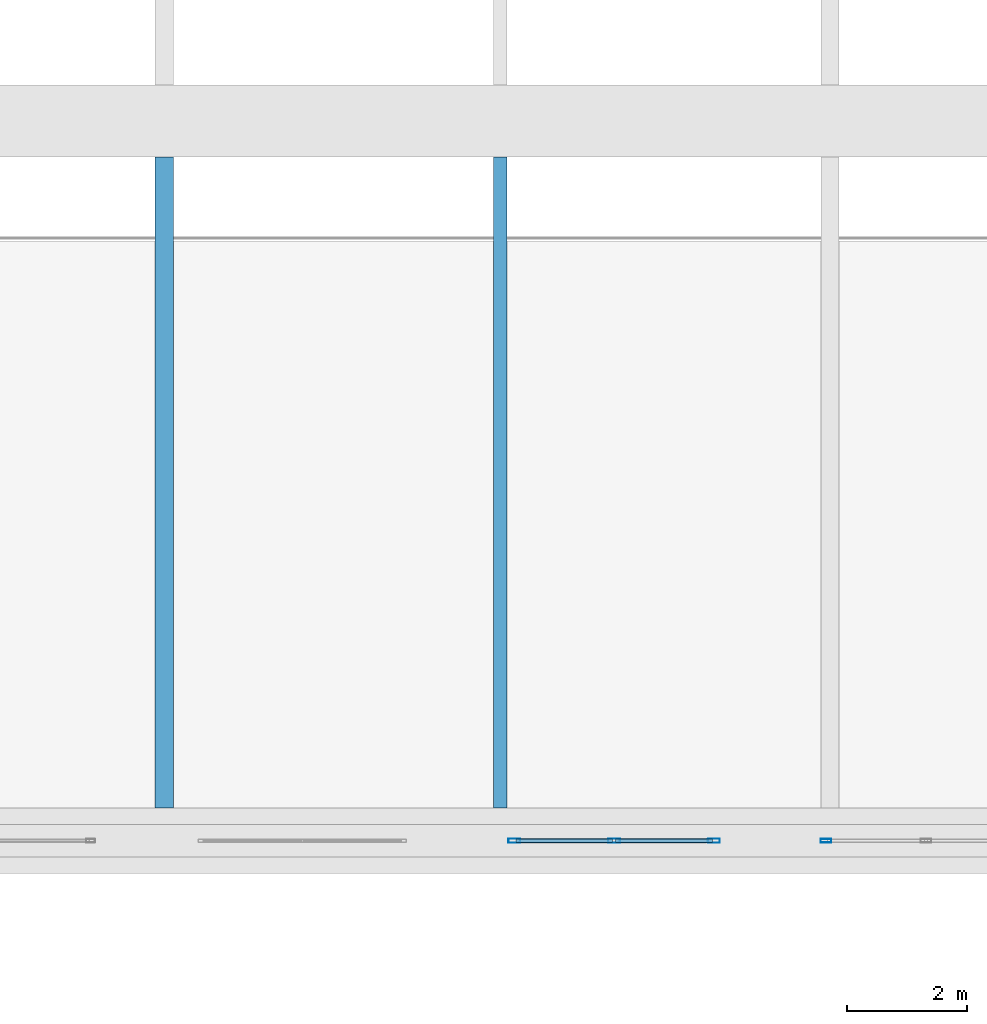
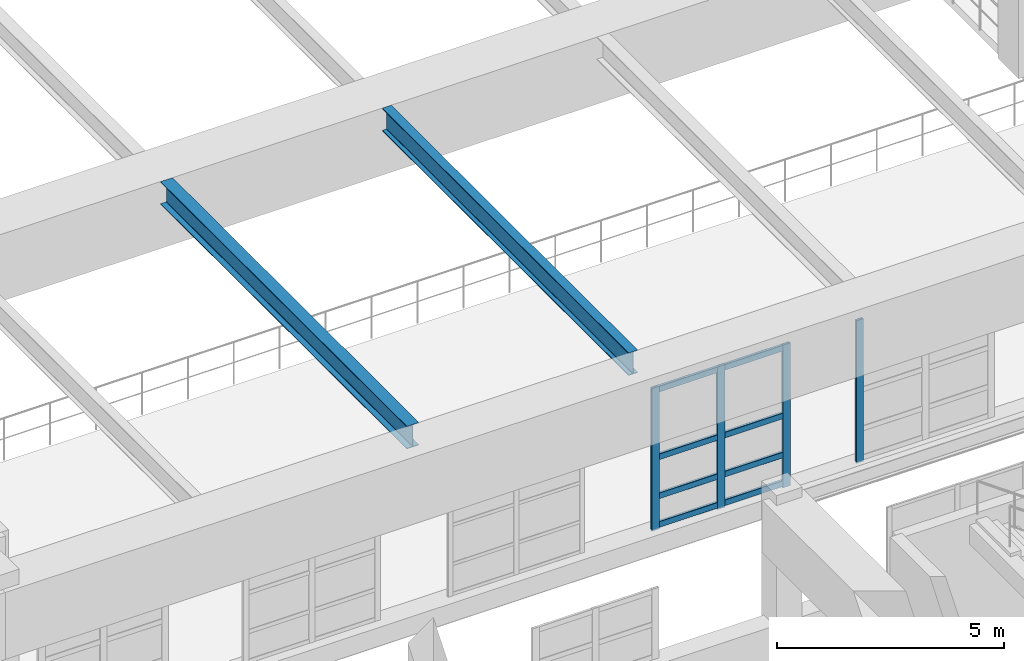
# One storey, part 34 of 197: 12 members, 2 beams, 2 elements without a shape of their own.
"""IFC4 building model written with IfcOpenShell, lengths in metres."""

from ifc_helpers import new_model, si_unit, derived_unit, direction, frame, origin, origin_2d, place, context, subcontext, project, spatial, hollow_rectangle, i_section, extrude, material, layer, layer_set, material_profile, profile_set, type_object, element, aggregate, save


model = new_model("IFC4")

# Units and contexts
model_context = context("Model", 3, precision=1e-05, world=origin(), true_north=direction((0.0, 1.0)))
body_context = subcontext(model_context, "Body", "Model", "MODEL_VIEW")
ifc_project = project(units=[si_unit("LENGTHUNIT", "METRE"), si_unit("AREAUNIT", "SQUARE_METRE"), si_unit("VOLUMEUNIT", "CUBIC_METRE"), si_unit("PLANEANGLEUNIT", "RADIAN"), si_unit("MASSUNIT", "GRAM", prefix="KILO"), derived_unit("THERMALTRANSMITTANCEUNIT", [(si_unit("POWERUNIT", "WATT"), 1), (si_unit("LENGTHUNIT", "METRE"), -2), (si_unit("THERMODYNAMICTEMPERATUREUNIT", "KELVIN"), -1)])], contexts=[model_context])

# Site, building, storey
site_placement = place(None, origin())
site = spatial("IfcSite", under=ifc_project, at=site_placement, CompositionType="ELEMENT")
building_placement = place(site_placement, origin())
building = spatial("IfcBuilding", under=site, at=building_placement, Name="Almenara Railside Exhibition Hall", CompositionType="ELEMENT")
storey_placement = place(building_placement, frame((0.0, 0.0, 5.39990234375)))
storey = spatial("IfcBuildingStorey", under=building, at=storey_placement, Name="L01", CompositionType="ELEMENT", Elevation=5.39990234375)

# Curtain wall, member
ifc_material_1 = material(Name="Bronze-anodised aluminium and low-E double glazing", Category="aluminium")
ifc_layer = layer(ifc_material_1, 0.179931640625, Name="Bronze-anodised aluminium and low-E double glazing")
ifc_layer_set = layer_set([ifc_layer], Name="Bronze-anodised aluminium and low-E double glazing")
curtain_wall_type = type_object("IfcCurtainWallType", Name="Scroll Gable Mid Curtain Wall 3400x4400", PredefinedType="NOTDEFINED", material=ifc_layer_set)
curtain_wall_1_placement = place(storey_placement, origin())
curtain_wall_1 = element("IfcCurtainWall", 1, at=curtain_wall_1_placement, inside=storey, type_object=curtain_wall_type, Name="Curtain wall CW-G3-029", PredefinedType="NOTDEFINED")
ifc_material_2 = material(Name="Bronze-anodised aluminium", Category="aluminium")
ifc_material_profile_1 = material_profile(ifc_material_2, hollow_rectangle(XDim=0.06494140625, YDim=0.179931640625, WallThickness=0.00390625, InnerFilletRadius=0.00390625, OuterFilletRadius=0.008056640625, at=origin_2d()), Name="ALU-MUL 65x180x4")
ifc_profile_set_1 = profile_set([ifc_material_profile_1], Name="Bronze-anodised aluminium")
member_type_1 = type_object("IfcMemberType", Name="Curtain Wall Mullion 65x180x4", PredefinedType="MULLION", material=ifc_profile_set_1)
member_1_placement = place(storey_placement, frame((44.4326171875, 48.0, 0.465087890625), z_axis=(0.0, 0.0, 1.0), x_axis=(0.0, 1.0, 0.0)))
member_1 = element("IfcMember", 2, at=member_1_placement, type_object=member_type_1, Name="CW-G3-029 mullion 1", PredefinedType="MULLION", context=body_context, shape_type="SweptSolid", body=[
    extrude(hollow_rectangle(XDim=0.06494140625, YDim=0.179931640625, WallThickness=0.00390625, InnerFilletRadius=0.00390625, OuterFilletRadius=0.008056640625, at=origin_2d()), origin(), (0.0, 0.0, 1.0), 3.8349609375),
])
aggregate(curtain_wall_1, [member_1])

# Curtain wall, members
curtain_wall_2_placement = place(storey_placement, origin())
curtain_wall_2 = element("IfcCurtainWall", 3, at=curtain_wall_2_placement, inside=storey, type_object=curtain_wall_type, Name="Curtain wall CW-G3-028", PredefinedType="NOTDEFINED")
ifc_material_profile_2 = material_profile(ifc_material_2, hollow_rectangle(XDim=0.070068359375, YDim=0.199951171875, WallThickness=0.00439453125, InnerFilletRadius=0.00439453125, OuterFilletRadius=0.009033203125, at=origin_2d()), Name="ALU-MUL 70x200x4.5")
ifc_profile_set_2 = profile_set([ifc_material_profile_2], Name="Bronze-anodised aluminium")
member_type_2 = type_object("IfcMemberType", Name="Curtain Wall Mullion 70x200x4.5", PredefinedType="MULLION", material=ifc_profile_set_2)
member_2_placement = place(storey_placement, frame((39.235107421875, 48.0, 0.465087890625), z_axis=(0.0, 0.0, 1.0), x_axis=(0.0, 1.0, 0.0)))
member_2 = element("IfcMember", 4, at=member_2_placement, type_object=member_type_2, Name="CW-G3-028 mullion 1", PredefinedType="MULLION", context=body_context, shape_type="SweptSolid", body=[
    extrude(hollow_rectangle(XDim=0.070068359375, YDim=0.199951171875, WallThickness=0.00439453125, InnerFilletRadius=0.00439453125, OuterFilletRadius=0.009033203125, at=origin_2d()), origin(), (0.0, 0.0, 1.0), 3.8349609375),
])
member_3_placement = place(storey_placement, frame((40.89990234375, 48.0, 0.465087890625), z_axis=(0.0, 0.0, 1.0), x_axis=(0.0, 1.0, 0.0)))
member_3 = element("IfcMember", 5, at=member_3_placement, type_object=member_type_2, Name="CW-G3-028 mullion 2", PredefinedType="MULLION", context=body_context, shape_type="SweptSolid", body=[
    extrude(hollow_rectangle(XDim=0.070068359375, YDim=0.199951171875, WallThickness=0.00439453125, InnerFilletRadius=0.00439453125, OuterFilletRadius=0.009033203125, at=origin_2d()), origin(), (0.0, 0.0, 1.0), 3.8349609375),
])
member_4_placement = place(storey_placement, frame((42.56494140625, 48.0, 0.465087890625), z_axis=(0.0, 0.0, 1.0), x_axis=(0.0, 1.0, 0.0)))
member_4 = element("IfcMember", 6, at=member_4_placement, type_object=member_type_2, Name="CW-G3-028 mullion 3", PredefinedType="MULLION", context=body_context, shape_type="SweptSolid", body=[
    extrude(hollow_rectangle(XDim=0.070068359375, YDim=0.199951171875, WallThickness=0.00439453125, InnerFilletRadius=0.00439453125, OuterFilletRadius=0.009033203125, at=origin_2d()), origin(), (0.0, 0.0, 1.0), 3.8349609375),
])
ifc_material_profile_3 = material_profile(ifc_material_2, hollow_rectangle(XDim=0.070068359375, YDim=0.159912109375, WallThickness=0.00390625, InnerFilletRadius=0.00390625, OuterFilletRadius=0.008056640625, at=origin_2d()), Name="ALU-TRN 70x160x4")
ifc_profile_set_3 = profile_set([ifc_material_profile_3], Name="Bronze-anodised aluminium")
member_type_3 = type_object("IfcMemberType", Name="Curtain Wall Transom 70x160x4", PredefinedType="USERDEFINED", material=ifc_profile_set_3)
member_5_placement = place(storey_placement, frame((39.261962890625, 48.0, 0.580078125), z_axis=(1.0, 0.0, 0.0), x_axis=(0.0, 1.0, 0.0)))
member_5 = element("IfcMember", 7, at=member_5_placement, type_object=member_type_3, Name="CW-G3-028 transom 1.1", ObjectType="TRANSOM", PredefinedType="USERDEFINED", context=body_context, shape_type="SweptSolid", body=[
    extrude(hollow_rectangle(XDim=0.070068359375, YDim=0.159912109375, WallThickness=0.00390625, InnerFilletRadius=0.00390625, OuterFilletRadius=0.008056640625, at=origin_2d()), origin(), (0.0, 0.0, 1.0), 1.611083984375),
])
member_6_placement = place(storey_placement, frame((39.261962890625, 48.0, 1.35009765625), z_axis=(1.0, 0.0, 0.0), x_axis=(0.0, 1.0, 0.0)))
member_6 = element("IfcMember", 8, at=member_6_placement, type_object=member_type_3, Name="CW-G3-028 transom 1.2", ObjectType="TRANSOM", PredefinedType="USERDEFINED", context=body_context, shape_type="SweptSolid", body=[
    extrude(hollow_rectangle(XDim=0.070068359375, YDim=0.159912109375, WallThickness=0.00390625, InnerFilletRadius=0.00390625, OuterFilletRadius=0.008056640625, at=origin_2d()), origin(), (0.0, 0.0, 1.0), 1.611083984375),
])
member_7_placement = place(storey_placement, frame((39.261962890625, 48.0, 2.400146484375), z_axis=(1.0, 0.0, 0.0), x_axis=(0.0, 1.0, 0.0)))
member_7 = element("IfcMember", 9, at=member_7_placement, type_object=member_type_3, Name="CW-G3-028 transom 1.3", ObjectType="TRANSOM", PredefinedType="USERDEFINED", context=body_context, shape_type="SweptSolid", body=[
    extrude(hollow_rectangle(XDim=0.070068359375, YDim=0.159912109375, WallThickness=0.00390625, InnerFilletRadius=0.00390625, OuterFilletRadius=0.008056640625, at=origin_2d()), origin(), (0.0, 0.0, 1.0), 1.611083984375),
])
member_8_placement = place(storey_placement, frame((39.261962890625, 48.0, 4.22021484375), z_axis=(1.0, 0.0, 0.0), x_axis=(0.0, 1.0, 0.0)))
member_8 = element("IfcMember", 10, at=member_8_placement, type_object=member_type_3, Name="CW-G3-028 transom 1.4", ObjectType="TRANSOM", PredefinedType="USERDEFINED", context=body_context, shape_type="SweptSolid", body=[
    extrude(hollow_rectangle(XDim=0.070068359375, YDim=0.159912109375, WallThickness=0.00390625, InnerFilletRadius=0.00390625, OuterFilletRadius=0.008056640625, at=origin_2d()), origin(), (0.0, 0.0, 1.0), 1.611083984375),
])
member_9_placement = place(storey_placement, frame((40.927001953125, 48.0, 0.580078125), z_axis=(1.0, 0.0, 0.0), x_axis=(0.0, 1.0, 0.0)))
member_9 = element("IfcMember", 11, at=member_9_placement, type_object=member_type_3, Name="CW-G3-028 transom 2.1", ObjectType="TRANSOM", PredefinedType="USERDEFINED", context=body_context, shape_type="SweptSolid", body=[
    extrude(hollow_rectangle(XDim=0.070068359375, YDim=0.159912109375, WallThickness=0.00390625, InnerFilletRadius=0.00390625, OuterFilletRadius=0.008056640625, at=origin_2d()), origin(), (0.0, 0.0, 1.0), 1.611083984375),
])
member_10_placement = place(storey_placement, frame((40.927001953125, 48.0, 1.35009765625), z_axis=(1.0, 0.0, 0.0), x_axis=(0.0, 1.0, 0.0)))
member_10 = element("IfcMember", 12, at=member_10_placement, type_object=member_type_3, Name="CW-G3-028 transom 2.2", ObjectType="TRANSOM", PredefinedType="USERDEFINED", context=body_context, shape_type="SweptSolid", body=[
    extrude(hollow_rectangle(XDim=0.070068359375, YDim=0.159912109375, WallThickness=0.00390625, InnerFilletRadius=0.00390625, OuterFilletRadius=0.008056640625, at=origin_2d()), origin(), (0.0, 0.0, 1.0), 1.611083984375),
])
member_11_placement = place(storey_placement, frame((40.927001953125, 48.0, 2.400146484375), z_axis=(1.0, 0.0, 0.0), x_axis=(0.0, 1.0, 0.0)))
member_11 = element("IfcMember", 13, at=member_11_placement, type_object=member_type_3, Name="CW-G3-028 transom 2.3", ObjectType="TRANSOM", PredefinedType="USERDEFINED", context=body_context, shape_type="SweptSolid", body=[
    extrude(hollow_rectangle(XDim=0.070068359375, YDim=0.159912109375, WallThickness=0.00390625, InnerFilletRadius=0.00390625, OuterFilletRadius=0.008056640625, at=origin_2d()), origin(), (0.0, 0.0, 1.0), 1.611083984375),
])
member_12_placement = place(storey_placement, frame((40.927001953125, 48.0, 4.22021484375), z_axis=(1.0, 0.0, 0.0), x_axis=(0.0, 1.0, 0.0)))
member_12 = element("IfcMember", 14, at=member_12_placement, type_object=member_type_3, Name="CW-G3-028 transom 2.4", ObjectType="TRANSOM", PredefinedType="USERDEFINED", context=body_context, shape_type="SweptSolid", body=[
    extrude(hollow_rectangle(XDim=0.070068359375, YDim=0.159912109375, WallThickness=0.00390625, InnerFilletRadius=0.00390625, OuterFilletRadius=0.008056640625, at=origin_2d()), origin(), (0.0, 0.0, 1.0), 1.611083984375),
])
aggregate(curtain_wall_2, [member_2, member_3, member_4, member_5, member_6, member_7, member_8, member_9, member_10, member_11, member_12])

# Beams
ifc_material_3 = material(Name="Structural steel S355JR", Category="steel")
ifc_material_profile_4 = material_profile(ifc_material_3, i_section(OverallWidth=0.22900390625, OverallDepth=0.6123046875, WebThickness=0.011962890625, FlangeThickness=0.01953125, FilletRadius=0.0126953125, at=origin_2d()), Name="UB 610x229x125")
ifc_profile_set_4 = profile_set([ifc_material_profile_4], Name="Structural steel S355JR")
beam_type_1 = type_object("IfcBeamType", Name="Steel Gallery Girder UB 610x229x125 S355JR", PredefinedType="USERDEFINED", material=ifc_profile_set_4)
beam_1_placement = place(storey_placement, frame((39.0, 48.550048828125, 4.68994140625), z_axis=(0.0, 1.0, 0.0), x_axis=(-1.0, 0.0, 0.0)))
element("IfcBeam", 15, at=beam_1_placement, inside=storey, type_object=beam_type_1, Name="Beam 0587", ObjectType="GIRDER", PredefinedType="USERDEFINED", context=body_context, shape_type="SweptSolid", body=[
    extrude(i_section(OverallWidth=0.22900390625, OverallDepth=0.6123046875, WebThickness=0.011962890625, FlangeThickness=0.01953125, FilletRadius=0.0126953125, at=origin_2d()), origin(), (0.0, 0.0, 1.0), 10.849853515625),
])
ifc_material_profile_5 = material_profile(ifc_material_3, i_section(OverallWidth=0.3046875, OverallDepth=0.6123046875, WebThickness=0.01171875, FlangeThickness=0.019775390625, FilletRadius=0.0166015625, at=origin_2d()), Name="UB 610x305x149")
ifc_profile_set_5 = profile_set([ifc_material_profile_5], Name="Structural steel S355JR")
beam_type_2 = type_object("IfcBeamType", Name="Steel Transfer Secondary Girder UB 610x305x149 S355JR", PredefinedType="USERDEFINED", material=ifc_profile_set_5)
beam_2_placement = place(storey_placement, frame((33.39990234375, 48.550048828125, 4.68994140625), z_axis=(0.0, 1.0, 0.0), x_axis=(-1.0, 0.0, 0.0)))
element("IfcBeam", 16, at=beam_2_placement, inside=storey, type_object=beam_type_2, Name="Beam 0586", ObjectType="GIRDER", PredefinedType="USERDEFINED", context=body_context, shape_type="SweptSolid", body=[
    extrude(i_section(OverallWidth=0.3046875, OverallDepth=0.6123046875, WebThickness=0.01171875, FlangeThickness=0.019775390625, FilletRadius=0.0166015625, at=origin_2d()), origin(), (0.0, 0.0, 1.0), 10.849853515625),
])

save(model, "model.ifc")
